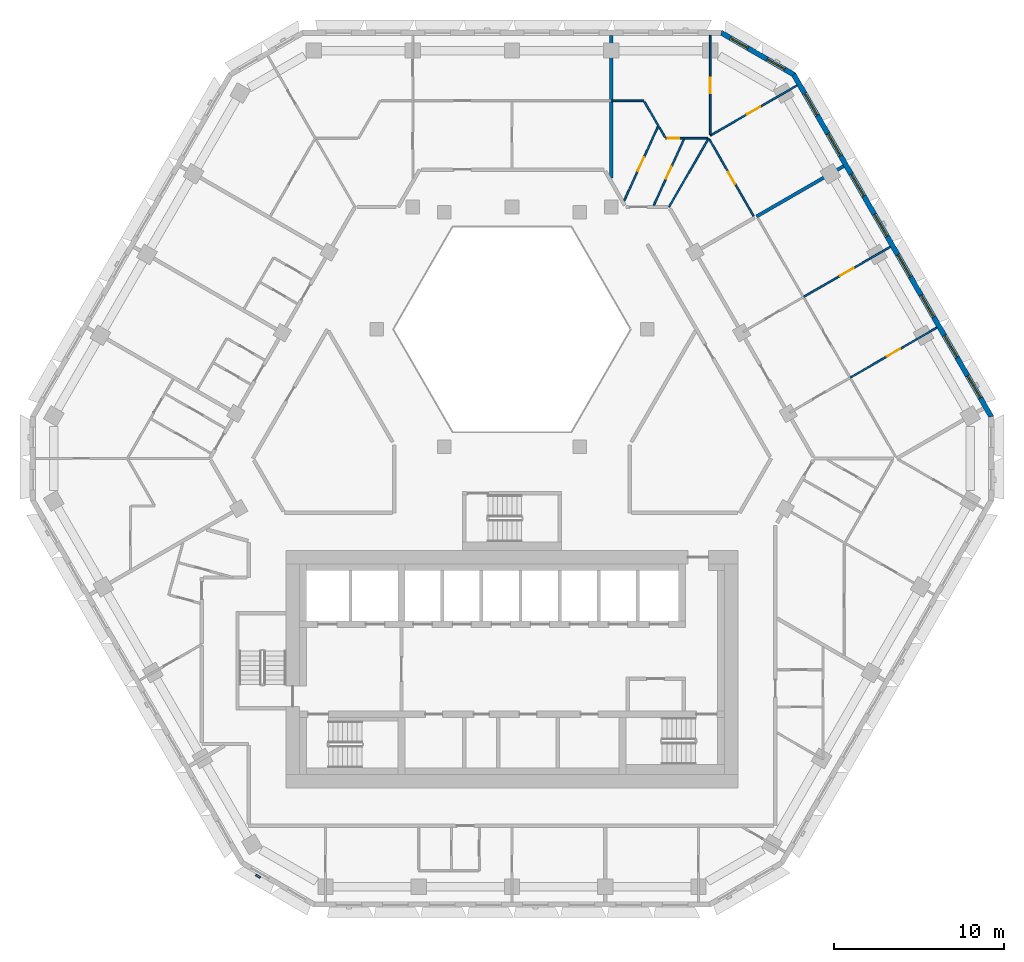
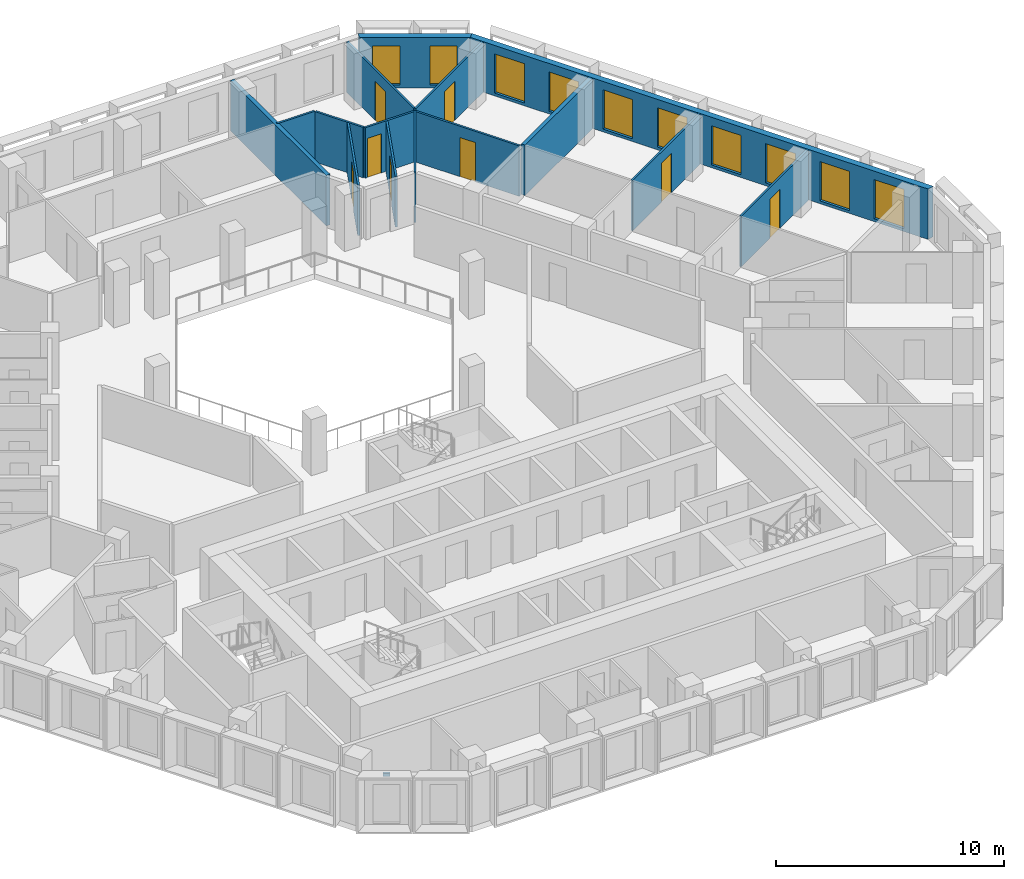
# One storey, part 9 of 17: 15 walls, 10 windows, 8 doors, 1 discrete accessory, 18 openings.
"""IFC4 building model written with IfcOpenShell, lengths in metres."""

from ifc_helpers import new_model, si_unit, direction, frame, frame_2d, origin, place, context, subcontext, project, spatial, polyline, rectangle, outline, extrude, source, transform, mapped, material, layer, layer_set, type_object, type_shapes, element, fill, save


model = new_model("IFC4")

# Units and contexts
model_context = context("Model", 3, precision=1e-05, world=origin(), true_north=direction((0.0, 1.0)))
body_context = subcontext(model_context, "Body", "Model", "MODEL_VIEW")
ifc_project = project(units=[si_unit("LENGTHUNIT", "METRE"), si_unit("AREAUNIT", "SQUARE_METRE"), si_unit("VOLUMEUNIT", "CUBIC_METRE"), si_unit("PLANEANGLEUNIT", "RADIAN"), si_unit("MASSUNIT", "GRAM", prefix="KILO")], contexts=[model_context])

# Site, building, storey
site_placement = place(None, origin())
site = spatial("IfcSite", under=ifc_project, at=site_placement, CompositionType="ELEMENT")
building_placement = place(site_placement, origin())
building = spatial("IfcBuilding", under=site, at=building_placement, Name="Beryl Residences", CompositionType="ELEMENT")
storey_placement = place(building_placement, frame((0.0, 0.0, 132.60009765625)))
storey = spatial("IfcBuildingStorey", under=building, at=storey_placement, Name="L40", CompositionType="ELEMENT", Elevation=132.60009765625)

# Wall, openings, windows
ifc_material_1 = material(Name="Composite metal panel with mineral wool insulation")
ifc_layer_1 = layer(ifc_material_1, 0.300048828125)
ifc_layer_set_1 = layer_set([ifc_layer_1], Name="ES1 pale metal composite panel wall 300 mm")
wall_type_1 = type_object("IfcWallType", Name="ES1 pale metal composite panel wall 300 mm", PredefinedType="SOLIDWALL", material=ifc_layer_set_1)
wall_1_placement = place(storey_placement, frame((28.218017578125, 2.824951171875, 0.0), z_axis=(0.0, 0.0, 1.0), x_axis=(-0.500020536353, 0.866013546791, 0.0)))
wall_1 = element("IfcWall", 1, at=wall_1_placement, inside=storey, type_object=wall_type_1, Name="ES1 external wall L40 NE", PredefinedType="SOLIDWALL", context=body_context, shape_type="SweptSolid", body=[
    extrude(outline(polyline([(0.0, -0.14990234375), (23.3251953125, -0.14990234375), (23.244873046875, 0.14990234375), (0.080322265625, 0.14990234375), (0.0, -0.14990234375)])), origin(), (0.0, 0.0, 1.0), 2.699951171875),
])
opening_1_placement = place(wall_1_placement, frame((1.31396484375, 0.0, 0.14990234375)))
opening_1 = element("IfcOpeningElement", 2, at=opening_1_placement, cuts=wall_1, Name="Opening W1", PredefinedType="OPENING", context=body_context, shape_type="SweptSolid", body=[
    extrude(rectangle(XDim=1.5, YDim=2.10009765625, at=frame_2d((0.75, 1.050048828125))), frame((0.0, 0.159912109375, 0.0), z_axis=(0.0, -1.0, 0.0), x_axis=(1.0, 0.0, 0.0)), (0.0, 0.0, 1.0), 0.320068359375),
])
opening_2_placement = place(wall_1_placement, frame((4.055908203125, 0.0, 0.14990234375)))
opening_2 = element("IfcOpeningElement", 3, at=opening_2_placement, cuts=wall_1, Name="Opening W1", PredefinedType="OPENING", context=body_context, shape_type="SweptSolid", body=[
    extrude(rectangle(XDim=1.5, YDim=2.10009765625, at=frame_2d((0.75, 1.050048828125))), frame((0.0, 0.159912109375, 0.0), z_axis=(0.0, -1.0, 0.0), x_axis=(1.0, 0.0, 0.0)), (0.0, 0.0, 1.0), 0.320068359375),
])
opening_3_placement = place(wall_1_placement, frame((6.798095703125, 0.0, 0.14990234375)))
opening_3 = element("IfcOpeningElement", 4, at=opening_3_placement, cuts=wall_1, Name="Opening W1", PredefinedType="OPENING", context=body_context, shape_type="SweptSolid", body=[
    extrude(rectangle(XDim=1.5, YDim=2.10009765625, at=frame_2d((0.75, 1.050048828125))), frame((0.0, 0.159912109375, 0.0), z_axis=(0.0, -1.0, 0.0), x_axis=(1.0, 0.0, 0.0)), (0.0, 0.0, 1.0), 0.320068359375),
])
opening_4_placement = place(wall_1_placement, frame((9.541015625, 0.0, 0.14990234375)))
opening_4 = element("IfcOpeningElement", 5, at=opening_4_placement, cuts=wall_1, Name="Opening W1", PredefinedType="OPENING", context=body_context, shape_type="SweptSolid", body=[
    extrude(rectangle(XDim=1.5, YDim=2.10009765625, at=frame_2d((0.75, 1.050048828125))), frame((0.0, 0.159912109375, 0.0), z_axis=(0.0, -1.0, 0.0), x_axis=(1.0, 0.0, 0.0)), (0.0, 0.0, 1.0), 0.320068359375),
])
opening_5_placement = place(wall_1_placement, frame((12.283935546875, 0.0, 0.14990234375)))
opening_5 = element("IfcOpeningElement", 6, at=opening_5_placement, cuts=wall_1, Name="Opening W1", PredefinedType="OPENING", context=body_context, shape_type="SweptSolid", body=[
    extrude(rectangle(XDim=1.5, YDim=2.10009765625, at=frame_2d((0.75, 1.050048828125))), frame((0.0, 0.159912109375, 0.0), z_axis=(0.0, -1.0, 0.0), x_axis=(1.0, 0.0, 0.0)), (0.0, 0.0, 1.0), 0.320068359375),
])
opening_6_placement = place(wall_1_placement, frame((15.027099609375, 0.0, 0.14990234375)))
opening_6 = element("IfcOpeningElement", 7, at=opening_6_placement, cuts=wall_1, Name="Opening W1", PredefinedType="OPENING", context=body_context, shape_type="SweptSolid", body=[
    extrude(rectangle(XDim=1.5, YDim=2.10009765625, at=frame_2d((0.75, 1.050048828125))), frame((0.0, 0.159912109375, 0.0), z_axis=(0.0, -1.0, 0.0), x_axis=(1.0, 0.0, 0.0)), (0.0, 0.0, 1.0), 0.320068359375),
])
opening_7_placement = place(wall_1_placement, frame((17.76904296875, 0.0, 0.14990234375)))
opening_7 = element("IfcOpeningElement", 8, at=opening_7_placement, cuts=wall_1, Name="Opening W1", PredefinedType="OPENING", context=body_context, shape_type="SweptSolid", body=[
    extrude(rectangle(XDim=1.5, YDim=2.10009765625, at=frame_2d((0.75, 1.050048828125))), frame((0.0, 0.159912109375, 0.0), z_axis=(0.0, -1.0, 0.0), x_axis=(1.0, 0.0, 0.0)), (0.0, 0.0, 1.0), 0.320068359375),
])
opening_8_placement = place(wall_1_placement, frame((20.510986328125, 0.0, 0.14990234375)))
opening_8 = element("IfcOpeningElement", 9, at=opening_8_placement, cuts=wall_1, Name="Opening W1", PredefinedType="OPENING", context=body_context, shape_type="SweptSolid", body=[
    extrude(rectangle(XDim=1.5, YDim=2.10009765625, at=frame_2d((0.75, 1.050048828125))), frame((0.0, 0.159912109375, 0.0), z_axis=(0.0, -1.0, 0.0), x_axis=(1.0, 0.0, 0.0)), (0.0, 0.0, 1.0), 0.320068359375),
])
ifc_material_2 = material(Name="Aluminium and clear glass", Category="aluminium")
window_type_1 = type_object("IfcWindowType", Name="W1 cell window 1500 x 2100 mm", PartitioningType="SINGLE_PANEL", PredefinedType="WINDOW", material=ifc_material_2)
window_1_placement = place(opening_1_placement, origin())
window_1 = element("IfcWindow", 10, at=window_1_placement, inside=storey, type_object=window_type_1, Name="W1 window L40 NE 1", OverallHeight=2.10009765625, OverallWidth=1.5, PartitioningType="SINGLE_PANEL", PredefinedType="WINDOW", context=body_context, shape_type="SweptSolid", body=[
    extrude(rectangle(XDim=1.5, YDim=2.10009765625, at=frame_2d((0.75, 1.050048828125))), frame((0.0, 0.030029296875, 0.0), z_axis=(0.0, -1.0, 0.0), x_axis=(1.0, 0.0, 0.0)), (0.0, 0.0, 1.0), 0.06005859375),
])
fill(opening_1, window_1)
window_2_placement = place(opening_2_placement, origin())
window_2 = element("IfcWindow", 11, at=window_2_placement, inside=storey, type_object=window_type_1, Name="W1 window L40 NE 2", OverallHeight=2.10009765625, OverallWidth=1.5, PartitioningType="SINGLE_PANEL", PredefinedType="WINDOW", context=body_context, shape_type="SweptSolid", body=[
    extrude(rectangle(XDim=1.5, YDim=2.10009765625, at=frame_2d((0.75, 1.050048828125))), frame((0.0, 0.030029296875, 0.0), z_axis=(0.0, -1.0, 0.0), x_axis=(1.0, 0.0, 0.0)), (0.0, 0.0, 1.0), 0.06005859375),
])
fill(opening_2, window_2)
window_3_placement = place(opening_3_placement, origin())
window_3 = element("IfcWindow", 12, at=window_3_placement, inside=storey, type_object=window_type_1, Name="W1 window L40 NE 3", OverallHeight=2.10009765625, OverallWidth=1.5, PartitioningType="SINGLE_PANEL", PredefinedType="WINDOW", context=body_context, shape_type="SweptSolid", body=[
    extrude(rectangle(XDim=1.5, YDim=2.10009765625, at=frame_2d((0.75, 1.050048828125))), frame((0.0, 0.030029296875, 0.0), z_axis=(0.0, -1.0, 0.0), x_axis=(1.0, 0.0, 0.0)), (0.0, 0.0, 1.0), 0.06005859375),
])
fill(opening_3, window_3)
window_4_placement = place(opening_4_placement, origin())
window_4 = element("IfcWindow", 13, at=window_4_placement, inside=storey, type_object=window_type_1, Name="W1 window L40 NE 4", OverallHeight=2.10009765625, OverallWidth=1.5, PartitioningType="SINGLE_PANEL", PredefinedType="WINDOW", context=body_context, shape_type="SweptSolid", body=[
    extrude(rectangle(XDim=1.5, YDim=2.10009765625, at=frame_2d((0.75, 1.050048828125))), frame((0.0, 0.030029296875, 0.0), z_axis=(0.0, -1.0, 0.0), x_axis=(1.0, 0.0, 0.0)), (0.0, 0.0, 1.0), 0.06005859375),
])
fill(opening_4, window_4)
window_5_placement = place(opening_5_placement, origin())
window_5 = element("IfcWindow", 14, at=window_5_placement, inside=storey, type_object=window_type_1, Name="W1 window L40 NE 5", OverallHeight=2.10009765625, OverallWidth=1.5, PartitioningType="SINGLE_PANEL", PredefinedType="WINDOW", context=body_context, shape_type="SweptSolid", body=[
    extrude(rectangle(XDim=1.5, YDim=2.10009765625, at=frame_2d((0.75, 1.050048828125))), frame((0.0, 0.030029296875, 0.0), z_axis=(0.0, -1.0, 0.0), x_axis=(1.0, 0.0, 0.0)), (0.0, 0.0, 1.0), 0.06005859375),
])
fill(opening_5, window_5)
window_6_placement = place(opening_6_placement, origin())
window_6 = element("IfcWindow", 15, at=window_6_placement, inside=storey, type_object=window_type_1, Name="W1 window L40 NE 6", OverallHeight=2.10009765625, OverallWidth=1.5, PartitioningType="SINGLE_PANEL", PredefinedType="WINDOW", context=body_context, shape_type="SweptSolid", body=[
    extrude(rectangle(XDim=1.5, YDim=2.10009765625, at=frame_2d((0.75, 1.050048828125))), frame((0.0, 0.030029296875, 0.0), z_axis=(0.0, -1.0, 0.0), x_axis=(1.0, 0.0, 0.0)), (0.0, 0.0, 1.0), 0.06005859375),
])
fill(opening_6, window_6)
window_7_placement = place(opening_7_placement, origin())
window_7 = element("IfcWindow", 16, at=window_7_placement, inside=storey, type_object=window_type_1, Name="W1 window L40 NE 7", OverallHeight=2.10009765625, OverallWidth=1.5, PartitioningType="SINGLE_PANEL", PredefinedType="WINDOW", context=body_context, shape_type="SweptSolid", body=[
    extrude(rectangle(XDim=1.5, YDim=2.10009765625, at=frame_2d((0.75, 1.050048828125))), frame((0.0, 0.030029296875, 0.0), z_axis=(0.0, -1.0, 0.0), x_axis=(1.0, 0.0, 0.0)), (0.0, 0.0, 1.0), 0.06005859375),
])
fill(opening_7, window_7)
window_8_placement = place(opening_8_placement, origin())
window_8 = element("IfcWindow", 17, at=window_8_placement, inside=storey, type_object=window_type_1, Name="W1 window L40 NE 8", OverallHeight=2.10009765625, OverallWidth=1.5, PartitioningType="SINGLE_PANEL", PredefinedType="WINDOW", context=body_context, shape_type="SweptSolid", body=[
    extrude(rectangle(XDim=1.5, YDim=2.10009765625, at=frame_2d((0.75, 1.050048828125))), frame((0.0, 0.030029296875, 0.0), z_axis=(0.0, -1.0, 0.0), x_axis=(1.0, 0.0, 0.0)), (0.0, 0.0, 1.0), 0.06005859375),
])
fill(opening_8, window_8)

wall_2_placement = place(storey_placement, frame((16.610107421875, 22.969970703125, 0.0), z_axis=(0.0, 0.0, 1.0), x_axis=(-0.866022959057, 0.500004234368, 0.0)))
wall_2 = element("IfcWall", 18, at=wall_2_placement, inside=storey, type_object=wall_type_1, Name="ES1 external wall L40 NE-N", PredefinedType="SOLIDWALL", context=body_context, shape_type="SweptSolid", body=[
    extrude(outline(polyline([(0.0, -0.14990234375), (5.0, -0.14990234375), (4.919677734375, 0.14990234375), (0.080322265625, 0.14990234375), (0.0, -0.14990234375)])), origin(), (0.0, 0.0, 1.0), 2.699951171875),
])
opening_9_placement = place(wall_2_placement, frame((0.64990234375, 0.0, 0.14990234375)))
opening_9 = element("IfcOpeningElement", 19, at=opening_9_placement, cuts=wall_2, Name="Opening W2", PredefinedType="OPENING", context=body_context, shape_type="SweptSolid", body=[
    extrude(rectangle(XDim=1.199951171875, YDim=2.10009765625, at=frame_2d((0.60009765625, 1.050048828125))), frame((0.0, 0.159912109375, 0.0), z_axis=(0.0, -1.0, 0.0), x_axis=(1.0, 0.0, 0.0)), (0.0, 0.0, 1.0), 0.320068359375),
])
opening_10_placement = place(wall_2_placement, frame((3.14990234375, 0.0, 0.14990234375)))
opening_10 = element("IfcOpeningElement", 20, at=opening_10_placement, cuts=wall_2, Name="Opening W2", PredefinedType="OPENING", context=body_context, shape_type="SweptSolid", body=[
    extrude(rectangle(XDim=1.199951171875, YDim=2.10009765625, at=frame_2d((0.60009765625, 1.050048828125))), frame((0.0, 0.159912109375, 0.0), z_axis=(0.0, -1.0, 0.0), x_axis=(1.0, 0.0, 0.0)), (0.0, 0.0, 1.0), 0.320068359375),
])
ifc_material_3 = material(Name="Aluminium and clear glass", Category="aluminium")
window_type_2 = type_object("IfcWindowType", Name="W2 chamfer window 1200 x 2100 mm", PartitioningType="SINGLE_PANEL", PredefinedType="WINDOW", material=ifc_material_3)
window_9_placement = place(opening_9_placement, origin())
window_9 = element("IfcWindow", 21, at=window_9_placement, inside=storey, type_object=window_type_2, Name="W2 window L40 NE-N 1", OverallHeight=2.10009765625, OverallWidth=1.199951171875, PartitioningType="SINGLE_PANEL", PredefinedType="WINDOW", context=body_context, shape_type="SweptSolid", body=[
    extrude(rectangle(XDim=1.199951171875, YDim=2.10009765625, at=frame_2d((0.60009765625, 1.050048828125))), frame((0.0, 0.030029296875, 0.0), z_axis=(0.0, -1.0, 0.0), x_axis=(1.0, 0.0, 0.0)), (0.0, 0.0, 1.0), 0.06005859375),
])
fill(opening_9, window_9)
window_10_placement = place(opening_10_placement, origin())
window_10 = element("IfcWindow", 22, at=window_10_placement, inside=storey, type_object=window_type_2, Name="W2 window L40 NE-N 2", OverallHeight=2.10009765625, OverallWidth=1.199951171875, PartitioningType="SINGLE_PANEL", PredefinedType="WINDOW", context=body_context, shape_type="SweptSolid", body=[
    extrude(rectangle(XDim=1.199951171875, YDim=2.10009765625, at=frame_2d((0.60009765625, 1.050048828125))), frame((0.0, 0.030029296875, 0.0), z_axis=(0.0, -1.0, 0.0), x_axis=(1.0, 0.0, 0.0)), (0.0, 0.0, 1.0), 0.06005859375),
])
fill(opening_10, window_10)

# Wall
ifc_material_4 = material(Name="Gypsum board partition on steel studs", Category="steel")
ifc_layer_2 = layer(ifc_material_4, 0.10009765625)
ifc_layer_set_2 = layer_set([ifc_layer_2], Name="PT1 partition 100 mm gypsum board on steel studs")
wall_type_2 = type_object("IfcWallType", Name="PT1 partition 100 mm gypsum board on steel studs", PredefinedType="PARTITIONING", material=ifc_layer_set_2)
wall_3_placement = place(storey_placement, frame((7.7919921875, 21.39599609375, 0.0), z_axis=(0.0, 0.0, 1.0), x_axis=(0.499821239653, -0.866128586522, 0.0)))
element("IfcWall", 23, at=wall_3_placement, inside=storey, type_object=wall_type_2, Name="Wall PT1 L40 003", PredefinedType="PARTITIONING", context=body_context, shape_type="SweptSolid", body=[
    extrude(rectangle(XDim=2.4248046875, YDim=0.10009765625, at=frame_2d((1.21240234375, 0.0))), origin(), (0.0, 0.0, 1.0), 2.699951171875),
])

# Wall, opening, door
wall_4_placement = place(storey_placement, frame((11.60302734375, 19.196044921875, 0.0), z_axis=(0.0, 0.0, 1.0), x_axis=(0.499913406181, -0.866075392977, 0.0)))
wall_4 = element("IfcWall", 24, at=wall_4_placement, inside=storey, type_object=wall_type_2, Name="Wall PT1 L40 004", PredefinedType="PARTITIONING", context=body_context, shape_type="SweptSolid", body=[
    extrude(rectangle(XDim=5.23876953125, YDim=0.10009765625, at=frame_2d((2.619384765625, 0.0))), origin(), (0.0, 0.0, 1.0), 2.699951171875),
])
opening_11_placement = place(wall_4_placement, frame((2.239990234375, 0.0, 0.0)))
opening_11 = element("IfcOpeningElement", 25, at=opening_11_placement, cuts=wall_4, Name="Opening D1007", PredefinedType="OPENING", context=body_context, shape_type="SweptSolid", body=[
    extrude(rectangle(XDim=0.800048828125, YDim=2.10009765625, at=frame_2d((0.39990234375, 1.050048828125))), frame((0.0, 0.06005859375, 0.0), z_axis=(0.0, -1.0, 0.0), x_axis=(1.0, 0.0, 0.0)), (0.0, 0.0, 1.0), 0.1201171875),
])
ifc_material_5 = material(Name="Timber door leaf", Category="wood")
door_type_1 = type_object("IfcDoorType", Name="D3 bathroom door 800 x 2100 mm", OperationType="SINGLE_SWING_LEFT", PredefinedType="DOOR", material=ifc_material_5)
door_1_placement = place(opening_11_placement, origin())
door_1 = element("IfcDoor", 26, at=door_1_placement, inside=storey, type_object=door_type_1, Name="Door D1007 L40 001", OperationType="SINGLE_SWING_LEFT", OverallHeight=2.10009765625, OverallWidth=0.800048828125, PredefinedType="DOOR", context=body_context, shape_type="SweptSolid", body=[
    extrude(rectangle(XDim=0.800048828125, YDim=2.10009765625, at=frame_2d((0.39990234375, 1.050048828125))), frame((0.0, 0.02490234375, 0.0), z_axis=(0.0, -1.0, 0.0), x_axis=(1.0, 0.0, 0.0)), (0.0, 0.0, 1.0), 0.050048828125),
])
fill(opening_11, door_1)

wall_5_placement = place(storey_placement, frame((9.032958984375, 19.24609375, 0.0), z_axis=(0.0, 0.0, 1.0), x_axis=(1.0, 0.0, 0.0)))
wall_5 = element("IfcWall", 27, at=wall_5_placement, inside=storey, type_object=wall_type_2, Name="Wall PT1 L40 028", PredefinedType="PARTITIONING", context=body_context, shape_type="SweptSolid", body=[
    extrude(rectangle(XDim=2.483154296875, YDim=0.10009765625, at=frame_2d((1.24169921875, 0.0))), origin(), (0.0, 0.0, 1.0), 2.699951171875),
])
opening_12_placement = place(wall_5_placement, frame((0.116943359375, 0.0, 0.0)))
opening_12 = element("IfcOpeningElement", 28, at=opening_12_placement, cuts=wall_5, Name="Opening D1004", PredefinedType="OPENING", context=body_context, shape_type="SweptSolid", body=[
    extrude(rectangle(XDim=0.699951171875, YDim=2.10009765625, at=frame_2d((0.35009765625, 1.050048828125))), frame((0.0, 0.06005859375, 0.0), z_axis=(0.0, -1.0, 0.0), x_axis=(1.0, 0.0, 0.0)), (0.0, 0.0, 1.0), 0.1201171875),
])
ifc_material_6 = material(Name="Timber door leaf", Category="wood")
door_type_2 = type_object("IfcDoorType", Name="D14 room door 700 x 2100 mm", OperationType="SINGLE_SWING_LEFT", PredefinedType="DOOR", material=ifc_material_6)
door_2_placement = place(opening_12_placement, origin())
door_2 = element("IfcDoor", 29, at=door_2_placement, inside=storey, type_object=door_type_2, Name="Door D1004 L40 001", OperationType="SINGLE_SWING_RIGHT", OverallHeight=2.10009765625, OverallWidth=0.699951171875, PredefinedType="DOOR", context=body_context, shape_type="SweptSolid", body=[
    extrude(rectangle(XDim=0.699951171875, YDim=2.10009765625, at=frame_2d((0.35009765625, 1.050048828125))), frame((0.0, 0.02490234375, 0.0), z_axis=(0.0, -1.0, 0.0), x_axis=(1.0, 0.0, 0.0)), (0.0, 0.0, 1.0), 0.050048828125),
])
fill(opening_12, door_2)

# Wall
wall_6_placement = place(storey_placement, frame((9.238037109375, 15.199951171875, 0.0), z_axis=(0.0, 0.0, 1.0), x_axis=(0.499983303743, 0.866035043158, 0.0)))
element("IfcWall", 30, at=wall_6_placement, inside=storey, type_object=wall_type_2, Name="Wall PT1 L40 030", PredefinedType="PARTITIONING", context=body_context, shape_type="SweptSolid", body=[
    extrude(rectangle(XDim=4.672119140625, YDim=0.10009765625, at=frame_2d((2.3359375, 0.0))), origin(), (0.0, 0.0, 1.0), 2.699951171875),
])

# Wall, opening, door
wall_7_placement = place(storey_placement, frame((8.345947265625, 15.300048828125, 0.0), z_axis=(0.0, 0.0, 1.0), x_axis=(0.415189790387, 0.909734817383, 0.0)))
wall_7 = element("IfcWall", 31, at=wall_7_placement, inside=storey, type_object=wall_type_2, Name="Wall PT1 L40 037", PredefinedType="PARTITIONING", context=body_context, shape_type="SweptSolid", body=[
    extrude(rectangle(XDim=4.282470703125, YDim=0.10009765625, at=frame_2d((2.14111328125, 0.0))), origin(), (0.0, 0.0, 1.0), 2.699951171875),
])
opening_13_placement = place(wall_7_placement, frame((1.714111328125, 0.0, 0.0)))
opening_13 = element("IfcOpeningElement", 32, at=opening_13_placement, cuts=wall_7, Name="Opening D1003", PredefinedType="OPENING", context=body_context, shape_type="SweptSolid", body=[
    extrude(rectangle(XDim=0.800048828125, YDim=2.10009765625, at=frame_2d((0.39990234375, 1.050048828125))), frame((0.0, 0.06005859375, 0.0), z_axis=(0.0, -1.0, 0.0), x_axis=(1.0, 0.0, 0.0)), (0.0, 0.0, 1.0), 0.1201171875),
])
door_3_placement = place(opening_13_placement, origin())
door_3 = element("IfcDoor", 33, at=door_3_placement, inside=storey, type_object=door_type_1, Name="Door D1003 L40 001", OperationType="SINGLE_SWING_LEFT", OverallHeight=2.10009765625, OverallWidth=0.800048828125, PredefinedType="DOOR", context=body_context, shape_type="SweptSolid", body=[
    extrude(rectangle(XDim=0.800048828125, YDim=2.10009765625, at=frame_2d((0.39990234375, 1.050048828125))), frame((0.0, 0.02490234375, 0.0), z_axis=(0.0, -1.0, 0.0), x_axis=(1.0, 0.0, 0.0)), (0.0, 0.0, 1.0), 0.050048828125),
])
fill(opening_13, door_3)

wall_8_placement = place(storey_placement, frame((6.60009765625, 15.569091796875, 0.0), z_axis=(0.0, 0.0, 1.0), x_axis=(0.415221636251, 0.909720282718, 0.0)))
wall_8 = element("IfcWall", 34, at=wall_8_placement, inside=storey, type_object=wall_type_2, Name="Wall PT1 L40 038", PredefinedType="PARTITIONING", context=body_context, shape_type="SweptSolid", body=[
    extrude(rectangle(XDim=4.78271484375, YDim=0.10009765625, at=frame_2d((2.391357421875, 0.0))), origin(), (0.0, 0.0, 1.0), 2.699951171875),
])
opening_14_placement = place(wall_8_placement, frame((1.910888671875, 0.0, 0.0)))
opening_14 = element("IfcOpeningElement", 35, at=opening_14_placement, cuts=wall_8, Name="Opening D1002", PredefinedType="OPENING", context=body_context, shape_type="SweptSolid", body=[
    extrude(rectangle(XDim=0.89990234375, YDim=2.10009765625, at=frame_2d((0.449951171875, 1.050048828125))), frame((0.0, 0.06005859375, 0.0), z_axis=(0.0, -1.0, 0.0), x_axis=(1.0, 0.0, 0.0)), (0.0, 0.0, 1.0), 0.1201171875),
])
ifc_material_7 = material(Name="Timber door leaf", Category="wood")
door_type_3 = type_object("IfcDoorType", Name="D2 room door 900 x 2100 mm", OperationType="SINGLE_SWING_LEFT", PredefinedType="DOOR", material=ifc_material_7)
door_4_placement = place(opening_14_placement, origin())
door_4 = element("IfcDoor", 36, at=door_4_placement, inside=storey, type_object=door_type_3, Name="Door D1002 L40 001", OperationType="SINGLE_SWING_RIGHT", OverallHeight=2.10009765625, OverallWidth=0.89990234375, PredefinedType="DOOR", context=body_context, shape_type="SweptSolid", body=[
    extrude(rectangle(XDim=0.89990234375, YDim=2.10009765625, at=frame_2d((0.449951171875, 1.050048828125))), frame((0.0, 0.02490234375, 0.0), z_axis=(0.0, -1.0, 0.0), x_axis=(1.0, 0.0, 0.0)), (0.0, 0.0, 1.0), 0.050048828125),
])
fill(opening_14, door_4)

wall_9_placement = place(storey_placement, frame((11.662109375, 19.4560546875, 0.0), z_axis=(0.0, 0.0, 1.0), x_axis=(0.0, 1.0, 0.0)))
wall_9 = element("IfcWall", 37, at=wall_9_placement, inside=storey, type_object=wall_type_2, Name="Wall PT1 L40 041", PredefinedType="PARTITIONING", context=body_context, shape_type="SweptSolid", body=[
    extrude(rectangle(XDim=5.843994140625, YDim=0.10009765625, at=frame_2d((2.921875, 0.0))), origin(), (0.0, 0.0, 1.0), 2.699951171875),
])
opening_15_placement = place(wall_9_placement, frame((2.443115234375, 0.0, 0.0)))
opening_15 = element("IfcOpeningElement", 38, at=opening_15_placement, cuts=wall_9, Name="Opening D1005", PredefinedType="OPENING", context=body_context, shape_type="SweptSolid", body=[
    extrude(rectangle(XDim=0.89990234375, YDim=2.10009765625, at=frame_2d((0.449951171875, 1.050048828125))), frame((0.0, 0.06005859375, 0.0), z_axis=(0.0, -1.0, 0.0), x_axis=(1.0, 0.0, 0.0)), (0.0, 0.0, 1.0), 0.1201171875),
])
door_5_placement = place(opening_15_placement, origin())
door_5 = element("IfcDoor", 39, at=door_5_placement, inside=storey, type_object=door_type_3, Name="Door D1005 L40 001", OperationType="SINGLE_SWING_LEFT", OverallHeight=2.10009765625, OverallWidth=0.89990234375, PredefinedType="DOOR", context=body_context, shape_type="SweptSolid", body=[
    extrude(rectangle(XDim=0.89990234375, YDim=2.10009765625, at=frame_2d((0.449951171875, 1.050048828125))), frame((0.0, 0.02490234375, 0.0), z_axis=(0.0, -1.0, 0.0), x_axis=(1.0, 0.0, 0.0)), (0.0, 0.0, 1.0), 0.050048828125),
])
fill(opening_15, door_5)

wall_10_placement = place(storey_placement, frame((11.6630859375, 19.39990234375, 0.0), z_axis=(0.0, 0.0, 1.0), x_axis=(0.865941558533, 0.500145196124, 0.0)))
wall_10 = element("IfcWall", 40, at=wall_10_placement, inside=storey, type_object=wall_type_2, Name="Wall PT1 L40 053", PredefinedType="PARTITIONING", context=body_context, shape_type="SweptSolid", body=[
    extrude(rectangle(XDim=5.898681640625, YDim=0.10009765625, at=frame_2d((2.94921875, 0.0))), origin(), (0.0, 0.0, 1.0), 2.699951171875),
])
opening_16_placement = place(wall_10_placement, frame((2.4990234375, 0.0, 0.0)))
opening_16 = element("IfcOpeningElement", 41, at=opening_16_placement, cuts=wall_10, Name="Opening D1006", PredefinedType="OPENING", context=body_context, shape_type="SweptSolid", body=[
    extrude(rectangle(XDim=0.89990234375, YDim=2.10009765625, at=frame_2d((0.449951171875, 1.050048828125))), frame((0.0, 0.06005859375, 0.0), z_axis=(0.0, -1.0, 0.0), x_axis=(1.0, 0.0, 0.0)), (0.0, 0.0, 1.0), 0.1201171875),
])
door_6_placement = place(opening_16_placement, origin())
door_6 = element("IfcDoor", 42, at=door_6_placement, inside=storey, type_object=door_type_3, Name="Door D1006 L40 001", OperationType="SINGLE_SWING_RIGHT", OverallHeight=2.10009765625, OverallWidth=0.89990234375, PredefinedType="DOOR", context=body_context, shape_type="SweptSolid", body=[
    extrude(rectangle(XDim=0.89990234375, YDim=2.10009765625, at=frame_2d((0.449951171875, 1.050048828125))), frame((0.0, 0.02490234375, 0.0), z_axis=(0.0, -1.0, 0.0), x_axis=(1.0, 0.0, 0.0)), (0.0, 0.0, 1.0), 0.050048828125),
])
fill(opening_16, door_6)

wall_11_placement = place(storey_placement, frame((19.889892578125, 5.14990234375, 0.0), z_axis=(0.0, 0.0, 1.0), x_axis=(0.865993310977, 0.500055582255, 0.0)))
wall_11 = element("IfcWall", 43, at=wall_11_placement, inside=storey, type_object=wall_type_2, Name="Wall PT1 L40 054", PredefinedType="PARTITIONING", context=body_context, shape_type="SweptSolid", body=[
    extrude(rectangle(XDim=5.899658203125, YDim=0.10009765625, at=frame_2d((2.94970703125, 0.0))), origin(), (0.0, 0.0, 1.0), 2.699951171875),
])
opening_17_placement = place(wall_11_placement, frame((2.5, 0.0, 0.0)))
opening_17 = element("IfcOpeningElement", 44, at=opening_17_placement, cuts=wall_11, Name="Opening D1053", PredefinedType="OPENING", context=body_context, shape_type="SweptSolid", body=[
    extrude(rectangle(XDim=0.89990234375, YDim=2.10009765625, at=frame_2d((0.449951171875, 1.050048828125))), frame((0.0, 0.06005859375, 0.0), z_axis=(0.0, -1.0, 0.0), x_axis=(1.0, 0.0, 0.0)), (0.0, 0.0, 1.0), 0.1201171875),
])
door_7_placement = place(opening_17_placement, origin())
door_7 = element("IfcDoor", 45, at=door_7_placement, inside=storey, type_object=door_type_3, Name="Door D1053 L40 001", OperationType="SINGLE_SWING_LEFT", OverallHeight=2.10009765625, OverallWidth=0.89990234375, PredefinedType="DOOR", context=body_context, shape_type="SweptSolid", body=[
    extrude(rectangle(XDim=0.89990234375, YDim=2.10009765625, at=frame_2d((0.449951171875, 1.050048828125))), frame((0.0, 0.02490234375, 0.0), z_axis=(0.0, -1.0, 0.0), x_axis=(1.0, 0.0, 0.0)), (0.0, 0.0, 1.0), 0.050048828125),
])
fill(opening_17, door_7)

wall_12_placement = place(storey_placement, frame((17.14697265625, 9.89990234375, 0.0), z_axis=(0.0, 0.0, 1.0), x_axis=(0.866034692906, 0.499983910424, 0.0)))
wall_12 = element("IfcWall", 46, at=wall_12_placement, inside=storey, type_object=wall_type_2, Name="Wall PT1 L40 055", PredefinedType="PARTITIONING", context=body_context, shape_type="SweptSolid", body=[
    extrude(rectangle(XDim=5.900634765625, YDim=0.10009765625, at=frame_2d((2.9501953125, 0.0))), origin(), (0.0, 0.0, 1.0), 2.699951171875),
])
opening_18_placement = place(wall_12_placement, frame((2.5, 0.0, 0.0)))
opening_18 = element("IfcOpeningElement", 47, at=opening_18_placement, cuts=wall_12, Name="Opening D1054", PredefinedType="OPENING", context=body_context, shape_type="SweptSolid", body=[
    extrude(rectangle(XDim=0.89990234375, YDim=2.10009765625, at=frame_2d((0.449951171875, 1.050048828125))), frame((0.0, 0.06005859375, 0.0), z_axis=(0.0, -1.0, 0.0), x_axis=(1.0, 0.0, 0.0)), (0.0, 0.0, 1.0), 0.1201171875),
])
door_8_placement = place(opening_18_placement, origin())
door_8 = element("IfcDoor", 48, at=door_8_placement, inside=storey, type_object=door_type_3, Name="Door D1054 L40 001", OperationType="SINGLE_SWING_RIGHT", OverallHeight=2.10009765625, OverallWidth=0.89990234375, PredefinedType="DOOR", context=body_context, shape_type="SweptSolid", body=[
    extrude(rectangle(XDim=0.89990234375, YDim=2.10009765625, at=frame_2d((0.449951171875, 1.050048828125))), frame((0.0, 0.02490234375, 0.0), z_axis=(0.0, -1.0, 0.0), x_axis=(1.0, 0.0, 0.0)), (0.0, 0.0, 1.0), 0.050048828125),
])
fill(opening_18, door_8)

# Walls
wall_13_placement = place(storey_placement, frame((5.8310546875, 21.446044921875, 0.0), z_axis=(0.0, 0.0, 1.0), x_axis=(1.0, 0.0, 0.0)))
element("IfcWall", 49, at=wall_13_placement, inside=storey, type_object=wall_type_2, Name="Wall PT1 L40 057", PredefinedType="PARTITIONING", context=body_context, shape_type="SweptSolid", body=[
    extrude(rectangle(XDim=1.931884765625, YDim=0.10009765625, at=frame_2d((0.9658203125, 0.0))), origin(), (0.0, 0.0, 1.0), 2.699951171875),
])
ifc_material_8 = material(Name="Acoustic double stud gypsum board wall")
ifc_layer_3 = layer(ifc_material_8, 0.199951171875)
ifc_layer_set_3 = layer_set([ifc_layer_3], Name="PT3 party wall 200 mm acoustic double stud")
wall_type_3 = type_object("IfcWallType", Name="PT3 party wall 200 mm acoustic double stud", PredefinedType="PARTITIONING", material=ifc_layer_set_3)
wall_14_placement = place(storey_placement, frame((5.8310546875, 16.89990234375, 0.0), z_axis=(0.0, 0.0, 1.0), x_axis=(0.0, 1.0, 0.0)))
element("IfcWall", 50, at=wall_14_placement, inside=storey, type_object=wall_type_3, Name="Wall PT3 L40 008", PredefinedType="PARTITIONING", context=body_context, shape_type="SweptSolid", body=[
    extrude(rectangle(XDim=8.400146484375, YDim=0.199951171875, at=frame_2d((4.2001953125, 0.0))), origin(), (0.0, 0.0, 1.0), 2.699951171875),
])
wall_15_placement = place(storey_placement, frame((14.387939453125, 14.639892578125, 0.0), z_axis=(0.0, 0.0, 1.0), x_axis=(0.866044090212, 0.499967632761, 0.0)))
element("IfcWall", 51, at=wall_15_placement, inside=storey, type_object=wall_type_3, Name="Wall PT3 L40 012", PredefinedType="PARTITIONING", context=body_context, shape_type="SweptSolid", body=[
    extrude(rectangle(XDim=5.9189453125, YDim=0.199951171875, at=frame_2d((2.95947265625, 0.0))), origin(), (0.0, 0.0, 1.0), 2.699951171875),
])

# Discrete accessory
ifc_material_9 = material(Name="Steel S355", Category="steel")
discrete_accessory_type = type_object("IfcDiscreteAccessoryType", Name="BR1 frame bracket 300 x 120 x 150 mm", PredefinedType="BRACKET", material=ifc_material_9)
shared_shape = source(origin(), body_context, "Body", "SweptSolid", [
    extrude(outline(polyline([(-0.14990234375, 0.0), (0.14990234375, 0.0), (0.14990234375, 0.1201171875), (-0.14990234375, 0.1201171875), (-0.14990234375, 0.0)])), origin(), (0.0, 0.0, 1.0), 0.14990234375),
])
type_shapes(discrete_accessory_type, [shared_shape])
discrete_accessory_placement = place(storey_placement, frame((-14.909912109375, -24.125, 2.75), z_axis=(0.0, 0.0, 1.0), x_axis=(-0.866025403784, 0.5, 0.0)))
element("IfcDiscreteAccessory", 52, at=discrete_accessory_placement, inside=storey, type_object=discrete_accessory_type, Name="BR1 bracket L40 SW-S 1", PredefinedType="BRACKET", context=body_context, shape_type="MappedRepresentation", body=[
    mapped(shared_shape, transform((0.0, 0.0, 0.0))),
])

save(model, "model.ifc")
